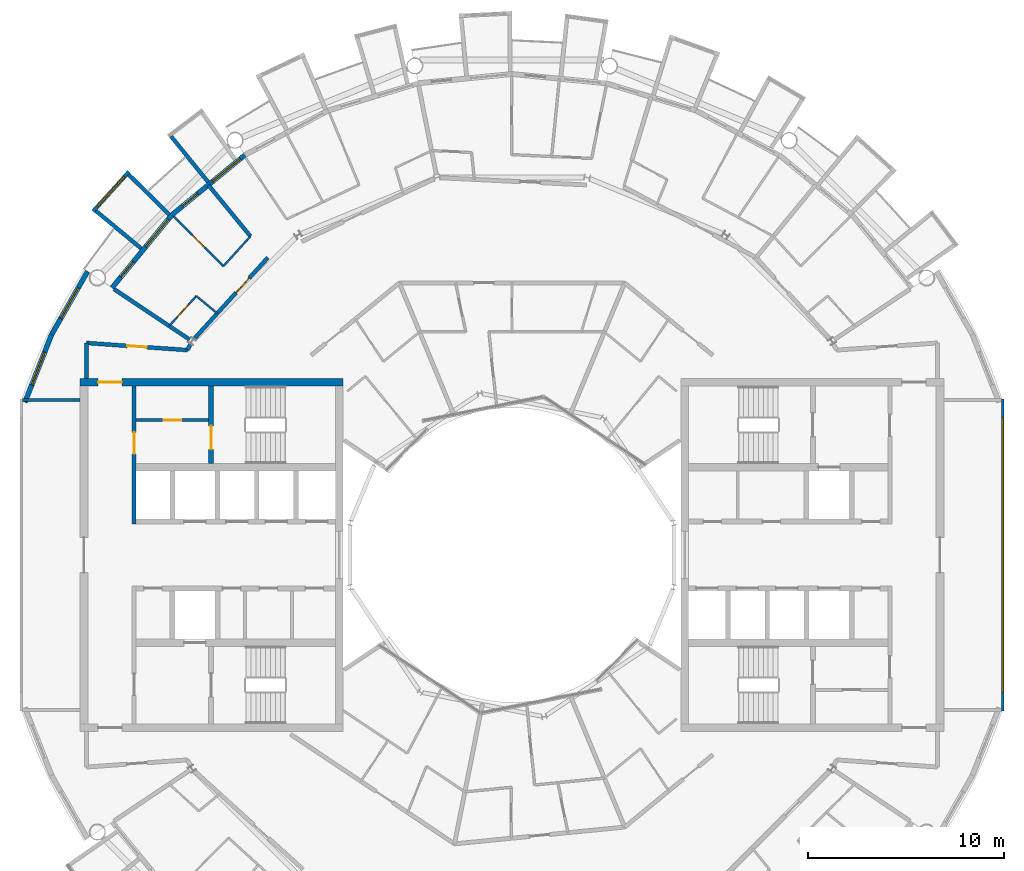
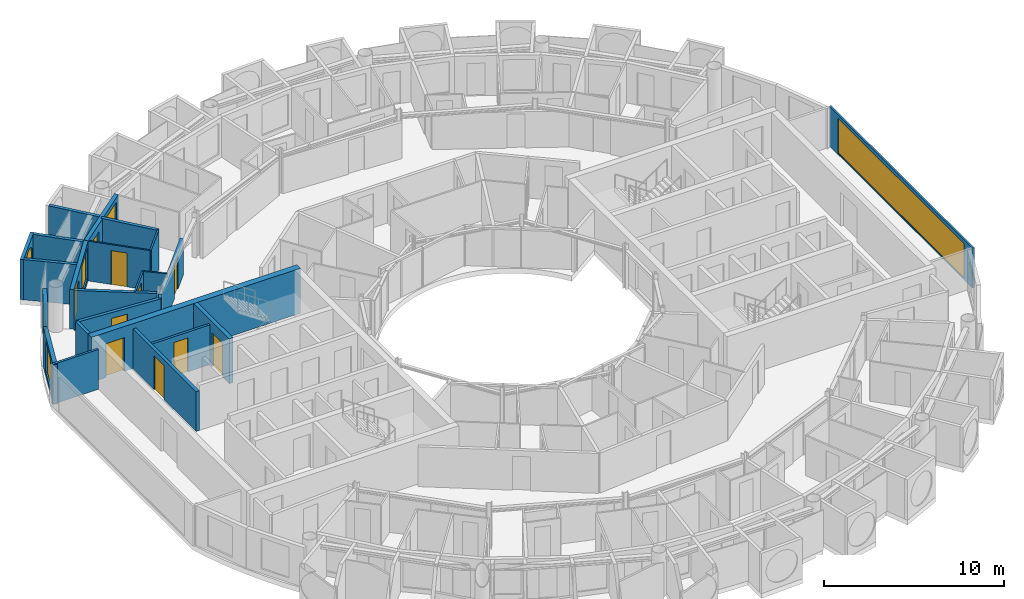
# One storey, part 19 of 27: 24 walls, 10 doors, 6 windows, 16 openings.
"""IFC4 building model written with IfcOpenShell, lengths in metres."""

from ifc_helpers import new_model, si_unit, direction, frame, frame_2d, origin, place, context, subcontext, project, spatial, rectangle, circle, extrude, material, layer, layer_set, type_object, element, fill, save


model = new_model("IFC4")

# Units and contexts
model_context = context("Model", 3, precision=1e-05, world=origin(), true_north=direction((0.0, 1.0)))
body_context = subcontext(model_context, "Body", "Model", "MODEL_VIEW")
ifc_project = project(units=[si_unit("LENGTHUNIT", "METRE"), si_unit("AREAUNIT", "SQUARE_METRE"), si_unit("VOLUMEUNIT", "CUBIC_METRE"), si_unit("PLANEANGLEUNIT", "RADIAN"), si_unit("MASSUNIT", "GRAM", prefix="KILO")], contexts=[model_context])

# Site, building, storey
site_placement = place(None, origin())
site = spatial("IfcSite", under=ifc_project, at=site_placement, CompositionType="ELEMENT")
building_placement = place(site_placement, origin())
building = spatial("IfcBuilding", under=site, at=building_placement, Name="Maasbend Ring Residences", CompositionType="ELEMENT")
storey_placement = place(building_placement, frame((0.0, 0.0, 240.14990234375)))
storey = spatial("IfcBuildingStorey", under=building, at=storey_placement, Name="L69", CompositionType="ELEMENT", Elevation=240.14990234375)

# Wall, opening, door
ifc_material_1 = material(Name="Concrete C50/60", Category="concrete")
ifc_layer_1 = layer(ifc_material_1, 0.25)
ifc_layer_set_1 = layer_set([ifc_layer_1], Name="Concrete C50/60")
wall_type_1 = type_object("IfcWallType", Name="CORE WALL 250 C50/60", PredefinedType="SHEAR", material=ifc_layer_set_1)
wall_1_placement = place(storey_placement, frame((-15.324951171875, 8.60009765625, 0.0), z_axis=(0.0, 0.0, 1.0), x_axis=(0.0, -1.0, 0.0)))
wall_1 = element("IfcWall", 1, at=wall_1_placement, inside=storey, type_object=wall_type_1, Name="L69 core W wall STES", PredefinedType="SHEAR", context=body_context, shape_type="SweptSolid", body=[
    extrude(rectangle(XDim=3.9501953125, YDim=0.25, at=frame_2d((1.97509765625, 0.0))), origin(), (0.0, 0.0, 1.0), 3.050048828125),
])
opening_1_placement = place(wall_1_placement, frame((2.02490234375, 0.0, 0.0)))
opening_1 = element("IfcOpeningElement", 2, at=opening_1_placement, cuts=wall_1, Name="Opening D-W6912", PredefinedType="OPENING", context=body_context, shape_type="SweptSolid", body=[
    extrude(rectangle(XDim=1.199951171875, YDim=2.300048828125, at=frame_2d((0.60009765625, 1.14990234375))), frame((0.0, 0.135009765625, 0.0), z_axis=(0.0, -1.0, 0.0), x_axis=(1.0, 0.0, 0.0)), (0.0, 0.0, 1.0), 0.27001953125),
])
ifc_material_2 = material(Name="Steel, powder coated", Category="steel")
door_type_1 = type_object("IfcDoorType", Name="STAIR DOOR 1200 X 2300 FD60", OperationType="NOTDEFINED", PredefinedType="DOOR", material=ifc_material_2)
door_1_placement = place(opening_1_placement, origin())
door_1 = element("IfcDoor", 3, at=door_1_placement, inside=storey, type_object=door_type_1, Name="Stair door ST-W L69", OperationType="SINGLE_SWING_LEFT", OverallHeight=2.300048828125, OverallWidth=1.199951171875, PredefinedType="DOOR", context=body_context, shape_type="SweptSolid", body=[
    extrude(rectangle(XDim=1.199951171875, YDim=2.300048828125, at=frame_2d((0.60009765625, 1.14990234375))), frame((0.0, 0.02490234375, 0.0), z_axis=(0.0, -1.0, 0.0), x_axis=(1.0, 0.0, 0.0)), (0.0, 0.0, 1.0), 0.050048828125),
])
fill(opening_1, door_1)

ifc_material_3 = material(Name="Concrete C50/60", Category="concrete")
ifc_layer_2 = layer(ifc_material_3, 0.39990234375)
ifc_layer_set_2 = layer_set([ifc_layer_2], Name="Concrete C50/60")
wall_type_2 = type_object("IfcWallType", Name="CORE WALL 400 C50/60", PredefinedType="SHEAR", material=ifc_layer_set_2)
wall_2_placement = place(storey_placement, frame((-8.60009765625, 8.800048828125, 0.0), z_axis=(0.0, 0.0, 1.0), x_axis=(-1.0, 0.0, 0.0)))
wall_2 = element("IfcWall", 4, at=wall_2_placement, inside=storey, type_object=wall_type_2, Name="L69 core W wall PS", PredefinedType="SHEAR", context=body_context, shape_type="SweptSolid", body=[
    extrude(rectangle(XDim=13.39990234375, YDim=0.39990234375, at=frame_2d((6.699951171875, 0.0))), origin(), (0.0, 0.0, 1.0), 3.050048828125),
])
opening_2_placement = place(wall_2_placement, frame((11.27490234375, 0.0, 0.0)))
opening_2 = element("IfcOpeningElement", 5, at=opening_2_placement, cuts=wall_2, Name="Opening D-W6916", PredefinedType="OPENING", context=body_context, shape_type="SweptSolid", body=[
    extrude(rectangle(XDim=1.199951171875, YDim=2.300048828125, at=frame_2d((0.60009765625, 1.14990234375))), frame((0.0, 0.2099609375, 0.0), z_axis=(0.0, -1.0, 0.0), x_axis=(1.0, 0.0, 0.0)), (0.0, 0.0, 1.0), 0.419921875),
])
ifc_material_4 = material(Name="Steel, powder coated", Category="steel")
door_type_2 = type_object("IfcDoorType", Name="CORRIDOR DOOR 1200 X 2300 FD30S", OperationType="NOTDEFINED", PredefinedType="DOOR", material=ifc_material_4)
door_2_placement = place(opening_2_placement, origin())
door_2 = element("IfcDoor", 6, at=door_2_placement, inside=storey, type_object=door_type_2, Name="Corridor door L69", OperationType="SINGLE_SWING_LEFT", OverallHeight=2.300048828125, OverallWidth=1.199951171875, PredefinedType="DOOR", context=body_context, shape_type="SweptSolid", body=[
    extrude(rectangle(XDim=1.199951171875, YDim=2.300048828125, at=frame_2d((0.60009765625, 1.14990234375))), frame((0.0, 0.02490234375, 0.0), z_axis=(0.0, -1.0, 0.0), x_axis=(1.0, 0.0, 0.0)), (0.0, 0.0, 1.0), 0.050048828125),
])
fill(opening_2, door_2)

ifc_material_5 = material(Name="Concrete C30/37", Category="concrete")
ifc_layer_3 = layer(ifc_material_5, 0.199951171875)
ifc_layer_set_3 = layer_set([ifc_layer_3], Name="Concrete C30/37")
wall_type_3 = type_object("IfcWallType", Name="CORRIDOR WALL 200 CONCRETE", PredefinedType="PARTITIONING", material=ifc_layer_set_3)
wall_3_placement = place(storey_placement, frame((-21.675048828125, 10.800048828125, 0.0), z_axis=(0.0, 0.0, 1.0), x_axis=(0.997515141784, -0.070452408845, 0.0)))
wall_3 = element("IfcWall", 7, at=wall_3_placement, inside=storey, type_object=wall_type_3, Name="U-L69-w097", PredefinedType="PARTITIONING", context=body_context, shape_type="SweptSolid", body=[
    extrude(rectangle(XDim=5.15283203125, YDim=0.199951171875, at=frame_2d((2.576416015625, 0.0))), origin(), (0.0, 0.0, 1.0), 2.7001953125),
])
opening_3_placement = place(wall_3_placement, frame((2.075927734375, 0.0, 0.0)))
opening_3 = element("IfcOpeningElement", 8, at=opening_3_placement, cuts=wall_3, Name="Opening D-6964", PredefinedType="OPENING", context=body_context, shape_type="SweptSolid", body=[
    extrude(rectangle(XDim=1.0, YDim=2.300048828125, at=frame_2d((0.5, 1.14990234375))), frame((0.0, 0.10986328125, 0.0), z_axis=(0.0, -1.0, 0.0), x_axis=(1.0, 0.0, 0.0)), (0.0, 0.0, 1.0), 0.219970703125),
])
ifc_material_6 = material(Name="Timber, painted", Category="wood")
door_type_3 = type_object("IfcDoorType", Name="ROOM DOOR 1000 X 2300", OperationType="NOTDEFINED", PredefinedType="DOOR", material=ifc_material_6)
door_3_placement = place(opening_3_placement, origin())
door_3 = element("IfcDoor", 9, at=door_3_placement, inside=storey, type_object=door_type_3, Name="D-6964", OperationType="SINGLE_SWING_RIGHT", OverallHeight=2.300048828125, OverallWidth=1.0, PredefinedType="DOOR", context=body_context, shape_type="SweptSolid", body=[
    extrude(rectangle(XDim=1.0, YDim=2.300048828125, at=frame_2d((0.5, 1.14990234375))), frame((0.0, 0.02490234375, 0.0), z_axis=(0.0, -1.0, 0.0), x_axis=(1.0, 0.0, 0.0)), (0.0, 0.0, 1.0), 0.050048828125),
])
fill(opening_3, door_3)

wall_4_placement = place(storey_placement, frame((-16.195068359375, 11.001953125, 0.0), z_axis=(0.0, 0.0, 1.0), x_axis=(0.671619657805, 0.740896102871, 0.0)))
wall_4 = element("IfcWall", 10, at=wall_4_placement, inside=storey, type_object=wall_type_3, Name="U-L69-w111", PredefinedType="PARTITIONING", context=body_context, shape_type="SweptSolid", body=[
    extrude(rectangle(XDim=5.599853515625, YDim=0.199951171875, at=frame_2d((2.7998046875, 0.0))), origin(), (0.0, 0.0, 1.0), 2.4501953125),
])
opening_4_placement = place(wall_4_placement, frame((3.18310546875, 0.0, 0.0)))
opening_4 = element("IfcOpeningElement", 11, at=opening_4_placement, cuts=wall_4, Name="Opening D-6918", PredefinedType="OPENING", context=body_context, shape_type="SweptSolid", body=[
    extrude(rectangle(XDim=1.0, YDim=2.300048828125, at=frame_2d((0.5, 1.14990234375))), frame((0.0, 0.10986328125, 0.0), z_axis=(0.0, -1.0, 0.0), x_axis=(1.0, 0.0, 0.0)), (0.0, 0.0, 1.0), 0.219970703125),
])
ifc_material_7 = material(Name="Timber, fire-rated, painted", Category="wood")
door_type_4 = type_object("IfcDoorType", Name="FLAT ENTRANCE DOOR 1000 X 2300 FIRE-RATED", OperationType="NOTDEFINED", PredefinedType="DOOR", material=ifc_material_7)
door_4_placement = place(opening_4_placement, origin())
door_4 = element("IfcDoor", 12, at=door_4_placement, inside=storey, type_object=door_type_4, Name="D-6918", OperationType="SINGLE_SWING_RIGHT", OverallHeight=2.300048828125, OverallWidth=1.0, PredefinedType="DOOR", context=body_context, shape_type="SweptSolid", body=[
    extrude(rectangle(XDim=1.0, YDim=2.300048828125, at=frame_2d((0.5, 1.14990234375))), frame((0.0, 0.02490234375, 0.0), z_axis=(0.0, -1.0, 0.0), x_axis=(1.0, 0.0, 0.0)), (0.0, 0.0, 1.0), 0.050048828125),
])
fill(opening_4, door_4)

# Walls
wall_5_placement = place(storey_placement, frame((-16.534912109375, 10.43701171875, 0.0), z_axis=(0.0, 0.0, 1.0), x_axis=(0.465802239822, 0.884888848035, 0.0)))
element("IfcWall", 13, at=wall_5_placement, inside=storey, type_object=wall_type_3, Name="U-L69-w113", PredefinedType="PARTITIONING", context=body_context, shape_type="SweptSolid", body=[
    extrude(rectangle(XDim=0.360595703125, YDim=0.199951171875, at=frame_2d((0.18017578125, 0.0))), origin(), (0.0, 0.0, 1.0), 2.7001953125),
])
wall_6_placement = place(storey_placement, frame((-21.675048828125, 9.0, 0.0), z_axis=(0.0, 0.0, 1.0), x_axis=(0.0, 1.0, 0.0)))
element("IfcWall", 14, at=wall_6_placement, inside=storey, type_object=wall_type_3, Name="U-L69-w126", PredefinedType="PARTITIONING", context=body_context, shape_type="SweptSolid", body=[
    extrude(rectangle(XDim=1.800048828125, YDim=0.199951171875, at=frame_2d((0.89990234375, 0.0))), origin(), (0.0, 0.0, 1.0), 2.7001953125),
])
ifc_material_8 = material(Name="Pale anodised aluminium panel", Category="aluminium")
ifc_layer_4 = layer(ifc_material_8, 0.199951171875)
ifc_layer_set_4 = layer_set([ifc_layer_4], Name="EW-BOX")
wall_type_4 = type_object("IfcWallType", Name="EW-BOX", PredefinedType="SOLIDWALL", material=ifc_layer_set_4)
wall_7_placement = place(storey_placement, frame((-15.47900390625, 19.0, -0.02978515625), z_axis=(0.0, 0.0, 1.0), x_axis=(-0.631209771017, 0.775612161439, 0.0)))
element("IfcWall", 15, at=wall_7_placement, inside=storey, type_object=wall_type_4, Name="Box side wall N17 right", PredefinedType="SOLIDWALL", context=body_context, shape_type="SweptSolid", body=[
    extrude(rectangle(XDim=2.992431640625, YDim=0.199951171875, at=frame_2d((1.49609375, 0.0))), origin(), (0.0, 0.0, 1.0), 2.72998046875),
])

# Wall, opening, window
wall_8_placement = place(storey_placement, frame((-19.512939453125, 19.52001953125, -0.02978515625), z_axis=(0.0, 0.0, 1.0), x_axis=(-0.671487056022, -0.741016284298, 0.0)))
wall_8 = element("IfcWall", 16, at=wall_8_placement, inside=storey, type_object=wall_type_4, Name="Box front N19", PredefinedType="SOLIDWALL", context=body_context, shape_type="SweptSolid", body=[
    extrude(rectangle(XDim=2.7177734375, YDim=0.199951171875, at=frame_2d((1.35888671875, 0.0))), origin(), (0.0, 0.0, 1.0), 2.72998046875),
])
opening_5_placement = place(wall_8_placement, frame((0.319091796875, 0.0, 0.330078125)))
opening_5 = element("IfcOpeningElement", 17, at=opening_5_placement, cuts=wall_8, Name="Opening W-RD", PredefinedType="OPENING", context=body_context, shape_type="SweptSolid", body=[
    extrude(circle(Radius=1.0400390625, at=frame_2d((1.0400390625, 1.0400390625))), frame((0.0, 0.10986328125, 0.0), z_axis=(0.0, -1.0, 0.0), x_axis=(1.0, 0.0, 0.0)), (0.0, 0.0, 1.0), 0.219970703125),
])
ifc_material_9 = material(Name="Aluminium and clear glass", Category="aluminium")
window_type_1 = type_object("IfcWindowType", Name="W-RD", PartitioningType="SINGLE_PANEL", PredefinedType="WINDOW", material=ifc_material_9)
window_1_placement = place(opening_5_placement, origin())
window_1 = element("IfcWindow", 18, at=window_1_placement, inside=storey, type_object=window_type_1, Name="Round window N19", OverallHeight=2.080078125, OverallWidth=2.080078125, PartitioningType="SINGLE_PANEL", PredefinedType="WINDOW", context=body_context, shape_type="SweptSolid", body=[
    extrude(circle(Radius=1.0400390625, at=frame_2d((1.0400390625, 1.0400390625))), frame((0.0, 0.030029296875, 0.0), z_axis=(0.0, -1.0, 0.0), x_axis=(1.0, 0.0, 0.0)), (0.0, 0.0, 1.0), 0.06005859375),
])
fill(opening_5, window_1)

# Walls
wall_9_placement = place(storey_placement, frame((-17.469970703125, 17.343994140625, -0.02978515625), z_axis=(0.0, 0.0, 1.0), x_axis=(-0.709896457854, 0.704306055012, 0.0)))
element("IfcWall", 19, at=wall_9_placement, inside=storey, type_object=wall_type_4, Name="Box side wall N19 left", PredefinedType="SOLIDWALL", context=body_context, shape_type="SweptSolid", body=[
    extrude(rectangle(XDim=2.88232421875, YDim=0.199951171875, at=frame_2d((1.441162109375, 0.0))), origin(), (0.0, 0.0, 1.0), 2.72998046875),
])
wall_10_placement = place(storey_placement, frame((-18.887939453125, 15.614990234375, -0.02978515625), z_axis=(0.0, 0.0, 1.0), x_axis=(-0.770489638069, 0.637452521862, 0.0)))
element("IfcWall", 20, at=wall_10_placement, inside=storey, type_object=wall_type_4, Name="Box side wall N19 right", PredefinedType="SOLIDWALL", context=body_context, shape_type="SweptSolid", body=[
    extrude(rectangle(XDim=2.9931640625, YDim=0.199951171875, at=frame_2d((1.49658203125, 0.0))), origin(), (0.0, 0.0, 1.0), 2.72998046875),
])

# Wall, openings, door, window
ifc_material_10 = material(Name="Aluminium clad insulated panel", Category="aluminium")
ifc_layer_5 = layer(ifc_material_10, 0.25)
ifc_layer_set_5 = layer_set([ifc_layer_5], Name="EW-GL")
wall_type_5 = type_object("IfcWallType", Name="EW-GL", PredefinedType="SOLIDWALL", material=ifc_layer_set_5)
wall_11_placement = place(storey_placement, frame((-13.611083984375, 20.37109375, 0.0), z_axis=(0.0, 0.0, 1.0), x_axis=(-0.773007538262, -0.634396836208, 0.0)))
wall_11 = element("IfcWall", 21, at=wall_11_placement, inside=storey, type_object=wall_type_5, Name="External wall N09", PredefinedType="SOLIDWALL", context=body_context, shape_type="SweptSolid", body=[
    extrude(rectangle(XDim=4.80322265625, YDim=0.25, at=frame_2d((2.401611328125, 0.0))), origin(), (0.0, 0.0, 1.0), 2.7001953125),
])
opening_6_placement = place(wall_11_placement, frame((0.3037109375, 0.0, 0.300048828125)))
opening_6 = element("IfcOpeningElement", 22, at=opening_6_placement, cuts=wall_11, Name="Opening W-BX", PredefinedType="OPENING", context=body_context, shape_type="SweptSolid", body=[
    extrude(rectangle(XDim=1.800048828125, YDim=2.10009765625, at=frame_2d((0.89990234375, 1.050048828125))), frame((0.0, 0.135009765625, 0.0), z_axis=(0.0, -1.0, 0.0), x_axis=(1.0, 0.0, 0.0)), (0.0, 0.0, 1.0), 0.27001953125),
])
opening_7_placement = place(wall_11_placement, frame((3.09912109375, 0.0, 0.0)))
opening_7 = element("IfcOpeningElement", 23, at=opening_7_placement, cuts=wall_11, Name="Opening D-LG", PredefinedType="OPENING", context=body_context, shape_type="SweptSolid", body=[
    extrude(rectangle(XDim=1.0, YDim=2.199951171875, at=frame_2d((0.5, 1.10009765625))), frame((0.0, 0.135009765625, 0.0), z_axis=(0.0, -1.0, 0.0), x_axis=(1.0, 0.0, 0.0)), (0.0, 0.0, 1.0), 0.27001953125),
])
ifc_material_11 = material(Name="Aluminium and clear glass", Category="aluminium")
door_type_5 = type_object("IfcDoorType", Name="D-LG", OperationType="SINGLE_SWING_LEFT", PredefinedType="DOOR", material=ifc_material_11)
door_5_placement = place(opening_7_placement, origin())
door_5 = element("IfcDoor", 24, at=door_5_placement, inside=storey, type_object=door_type_5, Name="Loggia door N18", OperationType="SINGLE_SWING_LEFT", OverallHeight=2.199951171875, OverallWidth=1.0, PredefinedType="DOOR", context=body_context, shape_type="SweptSolid", body=[
    extrude(rectangle(XDim=1.0, YDim=2.199951171875, at=frame_2d((0.5, 1.10009765625))), frame((0.0, 0.02490234375, 0.0), z_axis=(0.0, -1.0, 0.0), x_axis=(1.0, 0.0, 0.0)), (0.0, 0.0, 1.0), 0.050048828125),
])
fill(opening_7, door_5)
ifc_material_12 = material(Name="Aluminium and clear glass", Category="aluminium")
window_type_2 = type_object("IfcWindowType", Name="W-BX", PartitioningType="DOUBLE_PANEL_VERTICAL", PredefinedType="WINDOW", material=ifc_material_12)
window_2_placement = place(opening_6_placement, origin())
window_2 = element("IfcWindow", 25, at=window_2_placement, inside=storey, type_object=window_type_2, Name="Window N17 room to box", OverallHeight=2.10009765625, OverallWidth=1.800048828125, PartitioningType="SINGLE_PANEL", PredefinedType="WINDOW", context=body_context, shape_type="SweptSolid", body=[
    extrude(rectangle(XDim=1.800048828125, YDim=2.10009765625, at=frame_2d((0.89990234375, 1.050048828125))), frame((0.0, 0.030029296875, 0.0), z_axis=(0.0, -1.0, 0.0), x_axis=(1.0, 0.0, 0.0)), (0.0, 0.0, 1.0), 0.06005859375),
])
fill(opening_6, window_2)

wall_12_placement = place(storey_placement, frame((-17.323974609375, 17.323974609375, 0.0), z_axis=(0.0, 0.0, 1.0), x_axis=(-0.634396836208, -0.773007538262, 0.0)))
wall_12 = element("IfcWall", 26, at=wall_12_placement, inside=storey, type_object=wall_type_5, Name="External wall N10", PredefinedType="SOLIDWALL", context=body_context, shape_type="SweptSolid", body=[
    extrude(rectangle(XDim=4.80322265625, YDim=0.25, at=frame_2d((2.401611328125, 0.0))), origin(), (0.0, 0.0, 1.0), 2.7001953125),
])
opening_8_placement = place(wall_12_placement, frame((0.3037109375, 0.0, 0.300048828125)))
opening_8 = element("IfcOpeningElement", 27, at=opening_8_placement, cuts=wall_12, Name="Opening W-BX", PredefinedType="OPENING", context=body_context, shape_type="SweptSolid", body=[
    extrude(rectangle(XDim=1.800048828125, YDim=2.10009765625, at=frame_2d((0.89990234375, 1.050048828125))), frame((0.0, 0.135009765625, 0.0), z_axis=(0.0, -1.0, 0.0), x_axis=(1.0, 0.0, 0.0)), (0.0, 0.0, 1.0), 0.27001953125),
])
opening_9_placement = place(wall_12_placement, frame((3.09912109375, 0.0, 0.0)))
opening_9 = element("IfcOpeningElement", 28, at=opening_9_placement, cuts=wall_12, Name="Opening D-LG", PredefinedType="OPENING", context=body_context, shape_type="SweptSolid", body=[
    extrude(rectangle(XDim=1.0, YDim=2.199951171875, at=frame_2d((0.5, 1.10009765625))), frame((0.0, 0.135009765625, 0.0), z_axis=(0.0, -1.0, 0.0), x_axis=(1.0, 0.0, 0.0)), (0.0, 0.0, 1.0), 0.27001953125),
])
door_6_placement = place(opening_9_placement, origin())
door_6 = element("IfcDoor", 29, at=door_6_placement, inside=storey, type_object=door_type_5, Name="Loggia door N20", OperationType="SINGLE_SWING_LEFT", OverallHeight=2.199951171875, OverallWidth=1.0, PredefinedType="DOOR", context=body_context, shape_type="SweptSolid", body=[
    extrude(rectangle(XDim=1.0, YDim=2.199951171875, at=frame_2d((0.5, 1.10009765625))), frame((0.0, 0.02490234375, 0.0), z_axis=(0.0, -1.0, 0.0), x_axis=(1.0, 0.0, 0.0)), (0.0, 0.0, 1.0), 0.050048828125),
])
fill(opening_9, door_6)
window_3_placement = place(opening_8_placement, origin())
window_3 = element("IfcWindow", 30, at=window_3_placement, inside=storey, type_object=window_type_2, Name="Window N19 room to box", OverallHeight=2.10009765625, OverallWidth=1.800048828125, PartitioningType="SINGLE_PANEL", PredefinedType="WINDOW", context=body_context, shape_type="SweptSolid", body=[
    extrude(rectangle(XDim=1.800048828125, YDim=2.10009765625, at=frame_2d((0.89990234375, 1.050048828125))), frame((0.0, 0.030029296875, 0.0), z_axis=(0.0, -1.0, 0.0), x_axis=(1.0, 0.0, 0.0)), (0.0, 0.0, 1.0), 0.06005859375),
])
fill(opening_8, window_3)

# Wall, opening, window
ifc_material_13 = material(Name="Aluminium clad insulated panel", Category="aluminium")
ifc_layer_6 = layer(ifc_material_13, 0.25)
ifc_layer_set_6 = layer_set([ifc_layer_6], Name="EW-HORN")
wall_type_6 = type_object("IfcWallType", Name="EW-HORN", PredefinedType="SOLIDWALL", material=ifc_layer_set_6)
wall_13_placement = place(storey_placement, frame((-21.617919921875, 14.445068359375, 0.0), z_axis=(0.0, 0.0, 1.0), x_axis=(-0.495031435966, -0.868875064325, 0.0)))
wall_13 = element("IfcWall", 31, at=wall_13_placement, inside=storey, type_object=wall_type_6, Name="Horn wall 4.1", PredefinedType="SOLIDWALL", context=body_context, shape_type="SweptSolid", body=[
    extrude(rectangle(XDim=3.704833984375, YDim=0.25, at=frame_2d((1.8525390625, 0.0))), origin(), (0.0, 0.0, 1.0), 2.7001953125),
])
opening_10_placement = place(wall_13_placement, frame((0.952392578125, 0.0, 0.300048828125)))
opening_10 = element("IfcOpeningElement", 32, at=opening_10_placement, cuts=wall_13, Name="Opening W-BX", PredefinedType="OPENING", context=body_context, shape_type="SweptSolid", body=[
    extrude(rectangle(XDim=1.800048828125, YDim=2.10009765625, at=frame_2d((0.89990234375, 1.050048828125))), frame((0.0, 0.135009765625, 0.0), z_axis=(0.0, -1.0, 0.0), x_axis=(1.0, 0.0, 0.0)), (0.0, 0.0, 1.0), 0.27001953125),
])
window_4_placement = place(opening_10_placement, origin())
window_4 = element("IfcWindow", 33, at=window_4_placement, inside=storey, type_object=window_type_2, Name="Horn window 4.1", OverallHeight=2.10009765625, OverallWidth=1.800048828125, PartitioningType="SINGLE_PANEL", PredefinedType="WINDOW", context=body_context, shape_type="SweptSolid", body=[
    extrude(rectangle(XDim=1.800048828125, YDim=2.10009765625, at=frame_2d((0.89990234375, 1.050048828125))), frame((0.0, 0.030029296875, 0.0), z_axis=(0.0, -1.0, 0.0), x_axis=(1.0, 0.0, 0.0)), (0.0, 0.0, 1.0), 0.06005859375),
])
fill(opening_10, window_4)

wall_14_placement = place(storey_placement, frame((-23.451904296875, 11.22607421875, 0.0), z_axis=(0.0, 0.0, 1.0), x_axis=(-0.366351636034, -0.930476479432, 0.0)))
wall_14 = element("IfcWall", 34, at=wall_14_placement, inside=storey, type_object=wall_type_6, Name="Horn wall 4.2", PredefinedType="SOLIDWALL", context=body_context, shape_type="SweptSolid", body=[
    extrude(rectangle(XDim=3.70458984375, YDim=0.25, at=frame_2d((1.852294921875, 0.0))), origin(), (0.0, 0.0, 1.0), 2.7001953125),
])
opening_11_placement = place(wall_14_placement, frame((0.952392578125, 0.0, 0.300048828125)))
opening_11 = element("IfcOpeningElement", 35, at=opening_11_placement, cuts=wall_14, Name="Opening W-BX", PredefinedType="OPENING", context=body_context, shape_type="SweptSolid", body=[
    extrude(rectangle(XDim=1.800048828125, YDim=2.10009765625, at=frame_2d((0.89990234375, 1.050048828125))), frame((0.0, 0.135009765625, 0.0), z_axis=(0.0, -1.0, 0.0), x_axis=(1.0, 0.0, 0.0)), (0.0, 0.0, 1.0), 0.27001953125),
])
window_5_placement = place(opening_11_placement, origin())
window_5 = element("IfcWindow", 36, at=window_5_placement, inside=storey, type_object=window_type_2, Name="Horn window 4.2", OverallHeight=2.10009765625, OverallWidth=1.800048828125, PartitioningType="SINGLE_PANEL", PredefinedType="WINDOW", context=body_context, shape_type="SweptSolid", body=[
    extrude(rectangle(XDim=1.800048828125, YDim=2.10009765625, at=frame_2d((0.89990234375, 1.050048828125))), frame((0.0, 0.030029296875, 0.0), z_axis=(0.0, -1.0, 0.0), x_axis=(1.0, 0.0, 0.0)), (0.0, 0.0, 1.0), 0.06005859375),
])
fill(opening_11, window_5)

ifc_material_14 = material(Name="Aluminium frame and clear glass", Category="aluminium")
ifc_layer_7 = layer(ifc_material_14, 0.1201171875)
ifc_layer_set_7 = layer_set([ifc_layer_7], Name="GLAZED SCREEN WALL 120 EI 60")
wall_type_7 = type_object("IfcWallType", Name="GLAZED SCREEN WALL 120 EI 60", PredefinedType="PARTITIONING", material=ifc_layer_set_7)
wall_15_placement = place(storey_placement, frame((25.0, -7.949951171875, 0.0), z_axis=(0.0, 0.0, 1.0), x_axis=(0.0, 1.0, 0.0)))
wall_15 = element("IfcWall", 37, at=wall_15_placement, inside=storey, type_object=wall_type_7, Name="L69 core E wall FACE", PredefinedType="PARTITIONING", context=body_context, shape_type="SweptSolid", body=[
    extrude(rectangle(XDim=15.89990234375, YDim=0.1201171875, at=frame_2d((7.949951171875, 0.0))), origin(), (0.0, 0.0, 1.0), 2.7001953125),
])
opening_12_placement = place(wall_15_placement, frame((0.949951171875, 0.0, 0.10009765625)))
opening_12 = element("IfcOpeningElement", 38, at=opening_12_placement, cuts=wall_15, Name="Opening W-E6902", PredefinedType="OPENING", context=body_context, shape_type="SweptSolid", body=[
    extrude(rectangle(XDim=14.0, YDim=2.35009765625, at=frame_2d((7.0, 1.175048828125))), frame((0.0, 0.070068359375, 0.0), z_axis=(0.0, -1.0, 0.0), x_axis=(1.0, 0.0, 0.0)), (0.0, 0.0, 1.0), 0.14013671875),
])
ifc_material_15 = material(Name="Aluminium frame and clear glass", Category="aluminium")
window_type_3 = type_object("IfcWindowType", Name="FIXED WINDOW 14000 X 2350", PartitioningType="SINGLE_PANEL", PredefinedType="WINDOW", material=ifc_material_15)
window_6_placement = place(opening_12_placement, origin())
window_6 = element("IfcWindow", 39, at=window_6_placement, inside=storey, type_object=window_type_3, Name="Lobby window L69", OverallHeight=2.35009765625, OverallWidth=14.0, PartitioningType="SINGLE_PANEL", PredefinedType="WINDOW", context=body_context, shape_type="SweptSolid", body=[
    extrude(rectangle(XDim=14.0, YDim=2.35009765625, at=frame_2d((7.0, 1.175048828125))), frame((0.0, 0.030029296875, 0.0), z_axis=(0.0, -1.0, 0.0), x_axis=(1.0, 0.0, 0.0)), (0.0, 0.0, 1.0), 0.06005859375),
])
fill(opening_12, window_6)

# Wall, opening, door
ifc_material_16 = material(Name="Gypsum board on steel studs", Category="steel")
ifc_layer_8 = layer(ifc_material_16, 0.10009765625)
ifc_layer_set_8 = layer_set([ifc_layer_8], Name="PARTITION 100 GYPSUM")
wall_type_8 = type_object("IfcWallType", Name="PARTITION 100 GYPSUM", PredefinedType="PARTITIONING", material=ifc_layer_set_8)
wall_16_placement = place(storey_placement, frame((-17.22998046875, 17.240966796875, 0.0), z_axis=(0.0, 0.0, 1.0), x_axis=(0.706833687935, -0.707379769007, 0.0)))
wall_16 = element("IfcWall", 40, at=wall_16_placement, inside=storey, type_object=wall_type_8, Name="U-L69-w036", PredefinedType="PARTITIONING", context=body_context, shape_type="SweptSolid", body=[
    extrude(rectangle(XDim=3.57666015625, YDim=0.10009765625, at=frame_2d((1.788330078125, 0.0))), origin(), (0.0, 0.0, 1.0), 2.7001953125),
])
opening_13_placement = place(wall_16_placement, frame((1.337890625, 0.0, 0.0)))
opening_13 = element("IfcOpeningElement", 41, at=opening_13_placement, cuts=wall_16, Name="Opening D-6920", PredefinedType="OPENING", context=body_context, shape_type="SweptSolid", body=[
    extrude(rectangle(XDim=0.89990234375, YDim=2.300048828125, at=frame_2d((0.449951171875, 1.14990234375))), frame((0.0, 0.06005859375, 0.0), z_axis=(0.0, -1.0, 0.0), x_axis=(1.0, 0.0, 0.0)), (0.0, 0.0, 1.0), 0.1201171875),
])
ifc_material_17 = material(Name="Timber, painted", Category="wood")
door_type_6 = type_object("IfcDoorType", Name="INTERNAL DOOR 900 X 2300", OperationType="NOTDEFINED", PredefinedType="DOOR", material=ifc_material_17)
door_7_placement = place(opening_13_placement, origin())
door_7 = element("IfcDoor", 42, at=door_7_placement, inside=storey, type_object=door_type_6, Name="D-6920", OperationType="SINGLE_SWING_LEFT", OverallHeight=2.300048828125, OverallWidth=0.89990234375, PredefinedType="DOOR", context=body_context, shape_type="SweptSolid", body=[
    extrude(rectangle(XDim=0.89990234375, YDim=2.300048828125, at=frame_2d((0.449951171875, 1.14990234375))), frame((0.0, 0.02490234375, 0.0), z_axis=(0.0, -1.0, 0.0), x_axis=(1.0, 0.0, 0.0)), (0.0, 0.0, 1.0), 0.050048828125),
])
fill(opening_13, door_7)

# Wall
wall_17_placement = place(storey_placement, frame((-16.0810546875, 13.18896484375, 0.0), z_axis=(0.0, 0.0, 1.0), x_axis=(0.773321325714, -0.634014295735, 0.0)))
element("IfcWall", 43, at=wall_17_placement, inside=storey, type_object=wall_type_8, Name="U-L69-w037", PredefinedType="PARTITIONING", context=body_context, shape_type="SweptSolid", body=[
    extrude(rectangle(XDim=1.38623046875, YDim=0.10009765625, at=frame_2d((0.693115234375, 0.0))), origin(), (0.0, 0.0, 1.0), 2.7001953125),
])

# Wall, opening, door
wall_18_placement = place(storey_placement, frame((-17.4609375, 11.6669921875, 0.0), z_axis=(0.0, 0.0, 1.0), x_axis=(0.671678456097, 0.74084279818, 0.0)))
wall_18 = element("IfcWall", 44, at=wall_18_placement, inside=storey, type_object=wall_type_8, Name="U-L69-w121", PredefinedType="PARTITIONING", context=body_context, shape_type="SweptSolid", body=[
    extrude(rectangle(XDim=2.054443359375, YDim=0.10009765625, at=frame_2d((1.02734375, 0.0))), origin(), (0.0, 0.0, 1.0), 2.7001953125),
])
opening_14_placement = place(wall_18_placement, frame((0.576904296875, 0.0, 0.0)))
opening_14 = element("IfcOpeningElement", 45, at=opening_14_placement, cuts=wall_18, Name="Opening D-6919", PredefinedType="OPENING", context=body_context, shape_type="SweptSolid", body=[
    extrude(rectangle(XDim=0.89990234375, YDim=2.300048828125, at=frame_2d((0.449951171875, 1.14990234375))), frame((0.0, 0.06005859375, 0.0), z_axis=(0.0, -1.0, 0.0), x_axis=(1.0, 0.0, 0.0)), (0.0, 0.0, 1.0), 0.1201171875),
])
door_8_placement = place(opening_14_placement, origin())
door_8 = element("IfcDoor", 46, at=door_8_placement, inside=storey, type_object=door_type_6, Name="D-6919", OperationType="SINGLE_SWING_LEFT", OverallHeight=2.300048828125, OverallWidth=0.89990234375, PredefinedType="DOOR", context=body_context, shape_type="SweptSolid", body=[
    extrude(rectangle(XDim=0.89990234375, YDim=2.300048828125, at=frame_2d((0.449951171875, 1.14990234375))), frame((0.0, 0.02490234375, 0.0), z_axis=(0.0, -1.0, 0.0), x_axis=(1.0, 0.0, 0.0)), (0.0, 0.0, 1.0), 0.050048828125),
])
fill(opening_14, door_8)

# Wall
wall_19_placement = place(storey_placement, frame((-14.700927734375, 14.7109375, 0.0), z_axis=(0.0, 0.0, 1.0), x_axis=(0.671678456097, 0.74084279818, 0.0)))
element("IfcWall", 47, at=wall_19_placement, inside=storey, type_object=wall_type_8, Name="U-L69-w122", PredefinedType="PARTITIONING", context=body_context, shape_type="SweptSolid", body=[
    extrude(rectangle(XDim=2.054443359375, YDim=0.10009765625, at=frame_2d((1.02734375, 0.0))), origin(), (0.0, 0.0, 1.0), 2.7001953125),
])

# Wall, opening, door
ifc_material_18 = material(Name="Gypsum board on steel studs", Category="steel")
ifc_layer_9 = layer(ifc_material_18, 0.14990234375)
ifc_layer_set_9 = layer_set([ifc_layer_9], Name="PARTITION 150 EI 60")
wall_type_9 = type_object("IfcWallType", Name="PARTITION 150 EI 60", PredefinedType="PARTITIONING", material=ifc_layer_set_9)
wall_20_placement = place(storey_placement, frame((-15.449951171875, 6.875, 0.0), z_axis=(0.0, 0.0, 1.0), x_axis=(-1.0, 0.0, 0.0)))
wall_20 = element("IfcWall", 48, at=wall_20_placement, inside=storey, type_object=wall_type_9, Name="L69 core W wall RHS", PredefinedType="PARTITIONING", context=body_context, shape_type="SweptSolid", body=[
    extrude(rectangle(XDim=3.699951171875, YDim=0.14990234375, at=frame_2d((1.85009765625, 0.0))), origin(), (0.0, 0.0, 1.0), 2.7001953125),
])
opening_15_placement = place(wall_20_placement, frame((1.39990234375, 0.0, 0.0)))
opening_15 = element("IfcOpeningElement", 49, at=opening_15_placement, cuts=wall_20, Name="Opening D-W6910", PredefinedType="OPENING", context=body_context, shape_type="SweptSolid", body=[
    extrude(rectangle(XDim=0.89990234375, YDim=2.300048828125, at=frame_2d((0.449951171875, 1.14990234375))), frame((0.0, 0.0849609375, 0.0), z_axis=(0.0, -1.0, 0.0), x_axis=(1.0, 0.0, 0.0)), (0.0, 0.0, 1.0), 0.169921875),
])
ifc_material_19 = material(Name="Steel, powder coated", Category="steel")
door_type_7 = type_object("IfcDoorType", Name="RISER DOOR 900 X 2300 FD60", OperationType="NOTDEFINED", PredefinedType="DOOR", material=ifc_material_19)
door_9_placement = place(opening_15_placement, origin())
door_9 = element("IfcDoor", 50, at=door_9_placement, inside=storey, type_object=door_type_7, Name="Riser door L69", OperationType="SINGLE_SWING_LEFT", OverallHeight=2.300048828125, OverallWidth=0.89990234375, PredefinedType="DOOR", context=body_context, shape_type="SweptSolid", body=[
    extrude(rectangle(XDim=0.89990234375, YDim=2.300048828125, at=frame_2d((0.449951171875, 1.14990234375))), frame((0.0, 0.02490234375, 0.0), z_axis=(0.0, -1.0, 0.0), x_axis=(1.0, 0.0, 0.0)), (0.0, 0.0, 1.0), 0.050048828125),
])
fill(opening_15, door_9)

# Walls
wall_21_placement = place(storey_placement, frame((-22.0, 7.89990234375, 0.0), z_axis=(0.0, 0.0, 1.0), x_axis=(-1.0, 0.0, 0.0)))
element("IfcWall", 51, at=wall_21_placement, inside=storey, type_object=wall_type_9, Name="L69 core W wall CITS", PredefinedType="PARTITIONING", context=body_context, shape_type="SweptSolid", body=[
    extrude(rectangle(XDim=2.93994140625, YDim=0.14990234375, at=frame_2d((1.469970703125, 0.0))), origin(), (0.0, 0.0, 1.0), 2.7001953125),
])
ifc_material_20 = material(Name="Concrete C30/37", Category="concrete")
ifc_layer_10 = layer(ifc_material_20, 0.199951171875)
ifc_layer_set_10 = layer_set([ifc_layer_10], Name="Concrete C30/37")
wall_type_10 = type_object("IfcWallType", Name="PARTY WALL 200 CONCRETE", PredefinedType="PARTITIONING", material=ifc_layer_set_10)
wall_22_placement = place(storey_placement, frame((-20.26708984375, 13.5419921875, 0.0), z_axis=(0.0, 0.0, 1.0), x_axis=(0.831375603725, -0.555710901036, 0.0)))
element("IfcWall", 52, at=wall_22_placement, inside=storey, type_object=wall_type_10, Name="U-L69-w034", PredefinedType="PARTITIONING", context=body_context, shape_type="SweptSolid", body=[
    extrude(rectangle(XDim=4.624755859375, YDim=0.199951171875, at=frame_2d((2.3125, 0.0))), origin(), (0.0, 0.0, 1.0), 2.7001953125),
])
wall_23_placement = place(storey_placement, frame((-15.4619140625, 18.843017578125, 0.0), z_axis=(0.0, 0.0, 1.0), x_axis=(0.63432437119, -0.773067003638, 0.0)))
element("IfcWall", 53, at=wall_23_placement, inside=storey, type_object=wall_type_10, Name="U-L69-w039", PredefinedType="PARTITIONING", context=body_context, shape_type="SweptSolid", body=[
    extrude(rectangle(XDim=3.375, YDim=0.199951171875, at=frame_2d((1.6875, 0.0))), origin(), (0.0, 0.0, 1.0), 2.7001953125),
])

# Wall, opening, door
ifc_material_21 = material(Name="Concrete C30/37", Category="concrete")
ifc_layer_11 = layer(ifc_material_21, 0.199951171875)
ifc_layer_set_11 = layer_set([ifc_layer_11], Name="Concrete C30/37")
wall_type_11 = type_object("IfcWallType", Name="SHAFT WALL 200 EI 120", PredefinedType="SOLIDWALL", material=ifc_layer_set_11)
wall_24_placement = place(storey_placement, frame((-19.25, 8.60009765625, 0.0), z_axis=(0.0, 0.0, 1.0), x_axis=(0.0, -1.0, 0.0)))
wall_24 = element("IfcWall", 54, at=wall_24_placement, inside=storey, type_object=wall_type_11, Name="L69 core W wall ENDS", PredefinedType="SOLIDWALL", context=body_context, shape_type="SweptSolid", body=[
    extrude(rectangle(XDim=7.025146484375, YDim=0.199951171875, at=frame_2d((3.5126953125, 0.0))), origin(), (0.0, 0.0, 1.0), 2.7001953125),
])
opening_16_placement = place(wall_24_placement, frame((2.35009765625, 0.0, 0.0)))
opening_16 = element("IfcOpeningElement", 55, at=opening_16_placement, cuts=wall_24, Name="Opening D-W6914", PredefinedType="OPENING", context=body_context, shape_type="SweptSolid", body=[
    extrude(rectangle(XDim=1.10009765625, YDim=2.300048828125, at=frame_2d((0.550048828125, 1.14990234375))), frame((0.0, 0.10986328125, 0.0), z_axis=(0.0, -1.0, 0.0), x_axis=(1.0, 0.0, 0.0)), (0.0, 0.0, 1.0), 0.219970703125),
])
ifc_material_22 = material(Name="Steel, powder coated", Category="steel")
door_type_8 = type_object("IfcDoorType", Name="LOBBY DOOR 1100 X 2300 FD60", OperationType="NOTDEFINED", PredefinedType="DOOR", material=ifc_material_22)
door_10_placement = place(opening_16_placement, origin())
door_10 = element("IfcDoor", 56, at=door_10_placement, inside=storey, type_object=door_type_8, Name="Lobby door L69", OperationType="SINGLE_SWING_RIGHT", OverallHeight=2.300048828125, OverallWidth=1.10009765625, PredefinedType="DOOR", context=body_context, shape_type="SweptSolid", body=[
    extrude(rectangle(XDim=1.10009765625, YDim=2.300048828125, at=frame_2d((0.550048828125, 1.14990234375))), frame((0.0, 0.02490234375, 0.0), z_axis=(0.0, -1.0, 0.0), x_axis=(1.0, 0.0, 0.0)), (0.0, 0.0, 1.0), 0.050048828125),
])
fill(opening_16, door_10)

save(model, "model.ifc")
